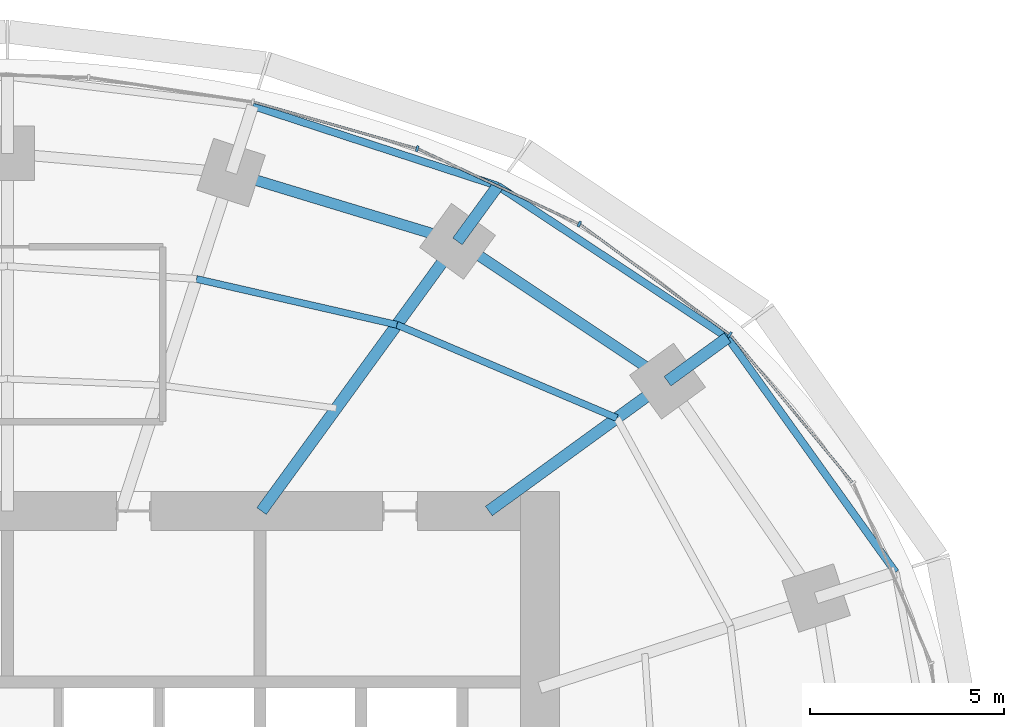
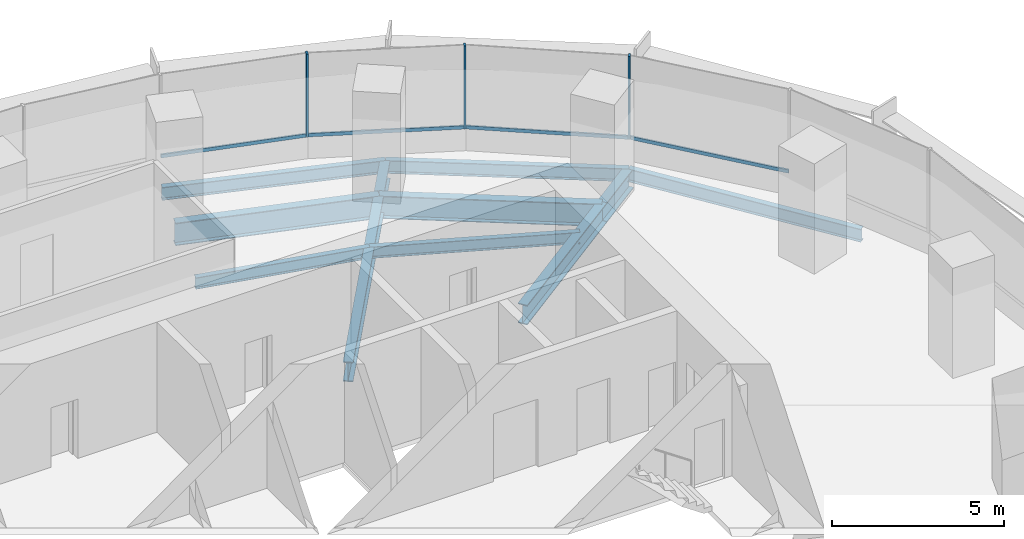
# One storey, part 8 of 14: 11 beams, 7 members, 2 elements without a shape of their own.
"""IFC4 building model written with IfcOpenShell, lengths in metres."""

from ifc_helpers import new_model, si_unit, direction, frame, origin, origin_2d, place, context, subcontext, project, spatial, rectangle, i_section, extrude, material, material_profile, profile_set, type_object, element, aggregate, save


model = new_model("IFC4")

# Units and contexts
model_context = context("Model", 3, precision=1e-05, world=origin(), true_north=direction((0.0, 1.0)))
body_context = subcontext(model_context, "Body", "Model", "MODEL_VIEW")
ifc_project = project(units=[si_unit("LENGTHUNIT", "METRE"), si_unit("AREAUNIT", "SQUARE_METRE"), si_unit("VOLUMEUNIT", "CUBIC_METRE"), si_unit("PLANEANGLEUNIT", "RADIAN"), si_unit("MASSUNIT", "GRAM", prefix="KILO")], contexts=[model_context])

# Site, building, storey
site_placement = place(None, origin())
site = spatial("IfcSite", under=ifc_project, at=site_placement, CompositionType="ELEMENT")
building_placement = place(site_placement, origin())
building = spatial("IfcBuilding", under=site, at=building_placement, Name="Marramba Exchange Tower", CompositionType="ELEMENT")
storey_placement = place(building_placement, frame((0.0, 0.0, 218.89990234375)))
storey = spatial("IfcBuildingStorey", under=building, at=storey_placement, Name="L53", CompositionType="ELEMENT", Elevation=218.89990234375)

# Beams
ifc_material_1 = material(Name="Steel AS/NZS 3679.2 grade 300", Category="steel")
ifc_material_profile_1 = material_profile(ifc_material_1, i_section(OverallWidth=0.300048828125, OverallDepth=0.699951171875, WebThickness=0.010009765625, FlangeThickness=0.031982421875, at=origin_2d()), Name="700WB173")
ifc_profile_set_1 = profile_set([ifc_material_profile_1], Name="Steel AS/NZS 3679.2 grade 300")
beam_type_1 = type_object("IfcBeamType", Name="Cantilever girder 700WB173", PredefinedType="BEAM", material=ifc_profile_set_1)
beam_1_placement = place(storey_placement, frame((16.98583984375, 12.3408203125, -0.510009765625), z_axis=(0.808962750283, 0.587859905636, 0.0), x_axis=(-0.587859905636, 0.808962750283, 0.0)))
element("IfcBeam", 1, at=beam_1_placement, inside=storey, type_object=beam_type_1, Name="Cantilever girder L53 TC03", PredefinedType="BEAM", context=body_context, shape_type="SweptSolid", body=[
    extrude(i_section(OverallWidth=0.300048828125, OverallDepth=0.699951171875, WebThickness=0.010009765625, FlangeThickness=0.031982421875, at=origin_2d()), origin(), (0.0, 0.0, 1.0), 1.9091796875),
])
beam_2_placement = place(storey_placement, frame((11.581298828125, 15.9404296875, -0.510009765625), z_axis=(0.587817766387, 0.808993370504, 0.0), x_axis=(-0.808993370504, 0.587817766387, 0.0)))
element("IfcBeam", 2, at=beam_2_placement, inside=storey, type_object=beam_type_1, Name="Cantilever girder L53 TC04", PredefinedType="BEAM", context=body_context, shape_type="SweptSolid", body=[
    extrude(i_section(OverallWidth=0.300048828125, OverallDepth=0.699951171875, WebThickness=0.010009765625, FlangeThickness=0.031982421875, at=origin_2d()), origin(), (0.0, 0.0, 1.0), 1.763916015625),
])
ifc_material_2 = material(Name="Steel AS/NZS 3679.1 grade 300", Category="steel")
ifc_material_profile_2 = material_profile(ifc_material_2, i_section(OverallWidth=0.177978515625, OverallDepth=0.406005859375, WebThickness=0.0078125, FlangeThickness=0.0126953125, FilletRadius=0.011474609375, at=origin_2d()), Name="410UB59.7")
ifc_profile_set_2 = profile_set([ifc_material_profile_2], Name="Steel AS/NZS 3679.1 grade 300")
beam_type_2 = type_object("IfcBeamType", Name="Floor joist 410UB59.7", PredefinedType="JOIST", material=ifc_profile_set_2)
beam_3_placement = place(storey_placement, frame((15.682373046875, 11.393798828125, -0.36279296875), z_axis=(-0.920674336375, 0.390331610738, 0.0), x_axis=(-0.390331610738, -0.920674336375, 0.0)))
element("IfcBeam", 3, at=beam_3_placement, inside=storey, type_object=beam_type_2, Name="Joist L53 bay 03 row 2", PredefinedType="JOIST", context=body_context, shape_type="SweptSolid", body=[
    extrude(i_section(OverallWidth=0.177978515625, OverallDepth=0.406005859375, WebThickness=0.0078125, FlangeThickness=0.0126953125, FilletRadius=0.011474609375, at=origin_2d()), origin(), (0.0, 0.0, 1.0), 6.1484375),
])
beam_4_placement = place(storey_placement, frame((10.021728515625, 13.793701171875, -0.36279296875), z_axis=(-0.974859652292, 0.222819788916, 0.0), x_axis=(-0.222819788916, -0.974859652292, 0.0)))
element("IfcBeam", 4, at=beam_4_placement, inside=storey, type_object=beam_type_2, Name="Joist L53 bay 04 row 2", PredefinedType="JOIST", context=body_context, shape_type="SweptSolid", body=[
    extrude(i_section(OverallWidth=0.177978515625, OverallDepth=0.406005859375, WebThickness=0.0078125, FlangeThickness=0.0126953125, FilletRadius=0.011474609375, at=origin_2d()), origin(), (0.0, 0.0, 1.0), 5.2900390625),
])

# Curtain wall, members
ifc_material_3 = material(Name="Aluminium framing, bronze anodised", Category="aluminium")
curtain_wall_type = type_object("IfcCurtainWallType", Name="Office ribbon curtain wall", PredefinedType="USERDEFINED", material=ifc_material_3)
curtain_wall_1_placement = place(storey_placement, origin())
curtain_wall_1 = element("IfcCurtainWall", 5, at=curtain_wall_1_placement, inside=storey, type_object=curtain_wall_type, Name="Curtain wall CW4 L53 F01-F05", ObjectType="RIBBON CURTAIN WALL", PredefinedType="USERDEFINED")
ifc_material_4 = material(Name="Aluminium mullion, bronze anodised", Category="aluminium")
ifc_material_profile_3 = material_profile(ifc_material_4, rectangle(XDim=0.159912109375, YDim=0.06005859375, at=origin_2d()), Name="CW4 mullion 60x160")
ifc_profile_set_3 = profile_set([ifc_material_profile_3], Name="Aluminium mullion, bronze anodised")
member_type_1 = type_object("IfcMemberType", Name="Office ribbon curtain wall mullion", PredefinedType="MULLION", material=ifc_profile_set_3)
member_1_placement = place(storey_placement, frame((18.587158203125, 13.53955078125, 0.800048828125), z_axis=(0.0, 0.0, 1.0), x_axis=(-0.593441317494, -0.804877259395, 0.0)))
member_1 = element("IfcMember", 6, at=member_1_placement, type_object=member_type_1, Name="CW4 mullion 1", PredefinedType="MULLION", context=body_context, shape_type="SweptSolid", body=[
    extrude(rectangle(XDim=0.159912109375, YDim=0.06005859375, at=origin_2d()), origin(), (0.0, 0.0, 1.0), 2.93994140625),
])
member_2_placement = place(storey_placement, frame((14.7158203125, 16.386474609375, 0.800048828125), z_axis=(0.0, 0.0, 1.0), x_axis=(-0.422133006189, -0.906533907301, 0.0)))
member_2 = element("IfcMember", 7, at=member_2_placement, type_object=member_type_1, Name="CW4 mullion 1", PredefinedType="MULLION", context=body_context, shape_type="SweptSolid", body=[
    extrude(rectangle(XDim=0.159912109375, YDim=0.06005859375, at=origin_2d()), origin(), (0.0, 0.0, 1.0), 2.93994140625),
])

# Curtain wall, member
curtain_wall_2_placement = place(storey_placement, origin())
curtain_wall_2 = element("IfcCurtainWall", 8, at=curtain_wall_2_placement, inside=storey, type_object=curtain_wall_type, Name="Curtain wall CW4 L53 F06-F10", ObjectType="RIBBON CURTAIN WALL", PredefinedType="USERDEFINED")
member_3_placement = place(storey_placement, frame((10.54541015625, 18.3232421875, 0.800048828125), z_axis=(0.0, 0.0, 1.0), x_axis=(-0.274248164656, -0.961658954195, 0.0)))
member_3 = element("IfcMember", 9, at=member_3_placement, type_object=member_type_1, Name="CW4 mullion 1", PredefinedType="MULLION", context=body_context, shape_type="SweptSolid", body=[
    extrude(rectangle(XDim=0.159912109375, YDim=0.06005859375, at=origin_2d()), origin(), (0.0, 0.0, 1.0), 2.93994140625),
])

# Member
ifc_material_5 = material(Name="Aluminium transom, bronze anodised", Category="aluminium")
ifc_material_profile_4 = material_profile(ifc_material_5, rectangle(XDim=0.06005859375, YDim=0.1201171875, at=origin_2d()), Name="CW4 transom 60x120")
ifc_profile_set_4 = profile_set([ifc_material_profile_4], Name="Aluminium transom, bronze anodised")
member_type_2 = type_object("IfcMemberType", Name="Office ribbon curtain wall transom", PredefinedType="USERDEFINED", material=ifc_profile_set_4)
member_4_placement = place(storey_placement, frame((21.73779296875, 9.74169921875, 0.830078125), z_axis=(-0.637375191043, 0.770553609973, 0.0), x_axis=(-0.770553609973, -0.637375191043, 0.0)))
member_4 = element("IfcMember", 10, at=member_4_placement, type_object=member_type_2, Name="CW4 sill transom", ObjectType="TRANSOM", PredefinedType="USERDEFINED", context=body_context, shape_type="SweptSolid", body=[
    extrude(rectangle(XDim=0.06005859375, YDim=0.1201171875, at=origin_2d()), origin(), (0.0, 0.0, 1.0), 4.905517578125),
])

member_5_placement = place(storey_placement, frame((18.56298828125, 13.557373046875, 0.830078125), z_axis=(-0.804874780157, 0.593444680039, 0.0), x_axis=(-0.593444680039, -0.804874780157, 0.0)))
member_5 = element("IfcMember", 11, at=member_5_placement, type_object=member_type_2, Name="CW4 sill transom", ObjectType="TRANSOM", PredefinedType="USERDEFINED", context=body_context, shape_type="SweptSolid", body=[
    extrude(rectangle(XDim=0.06005859375, YDim=0.1201171875, at=origin_2d()), origin(), (0.0, 0.0, 1.0), 4.745849609375),
])

member_6_placement = place(storey_placement, frame((14.688720703125, 16.399169921875, 0.830078125), z_axis=(-0.906548348139, 0.422101992989, 0.0), x_axis=(-0.422101992989, -0.906548348139, 0.0)))
member_6 = element("IfcMember", 12, at=member_6_placement, type_object=member_type_2, Name="CW4 sill transom", ObjectType="TRANSOM", PredefinedType="USERDEFINED", context=body_context, shape_type="SweptSolid", body=[
    extrude(rectangle(XDim=0.06005859375, YDim=0.1201171875, at=origin_2d()), origin(), (0.0, 0.0, 1.0), 4.53857421875),
])

aggregate(curtain_wall_1, [member_4, member_1, member_5, member_2, member_6])

member_7_placement = place(storey_placement, frame((10.5166015625, 18.33154296875, 0.830078125), z_axis=(-0.961661807825, 0.274238158125, 0.0), x_axis=(-0.274238158125, -0.961661807825, 0.0)))
member_7 = element("IfcMember", 13, at=member_7_placement, type_object=member_type_2, Name="CW4 sill transom", ObjectType="TRANSOM", PredefinedType="USERDEFINED", context=body_context, shape_type="SweptSolid", body=[
    extrude(rectangle(XDim=0.06005859375, YDim=0.1201171875, at=origin_2d()), origin(), (0.0, 0.0, 1.0), 4.340087890625),
])

aggregate(curtain_wall_2, [member_3, member_7])

# Beams
ifc_material_profile_5 = material_profile(ifc_material_1, i_section(OverallWidth=0.300048828125, OverallDepth=0.699951171875, WebThickness=0.010009765625, FlangeThickness=0.031982421875, at=origin_2d()), Name="700WB173")
ifc_profile_set_5 = profile_set([ifc_material_profile_5], Name="Steel AS/NZS 3679.2 grade 300")
beam_type_3 = type_object("IfcBeamType", Name="Radial girder 700WB173", PredefinedType="BEAM", material=ifc_profile_set_5)
beam_5_placement = place(storey_placement, frame((12.387451171875, 9.0, -0.510009765625), z_axis=(0.809025746925, 0.587773205252, 0.0), x_axis=(-0.587773205252, 0.809025746925, 0.0)))
element("IfcBeam", 14, at=beam_5_placement, inside=storey, type_object=beam_type_3, Name="Radial girder L53 TC03", PredefinedType="BEAM", context=body_context, shape_type="SweptSolid", body=[
    extrude(i_section(OverallWidth=0.300048828125, OverallDepth=0.699951171875, WebThickness=0.010009765625, FlangeThickness=0.031982421875, at=origin_2d()), origin(), (0.0, 0.0, 1.0), 5.683837890625),
])
beam_6_placement = place(storey_placement, frame((6.538818359375, 9.0, -0.510009765625), z_axis=(0.587782439969, 0.80901903764, 0.0), x_axis=(-0.80901903764, 0.587782439969, 0.0)))
element("IfcBeam", 15, at=beam_6_placement, inside=storey, type_object=beam_type_3, Name="Radial girder L53 TC04", PredefinedType="BEAM", context=body_context, shape_type="SweptSolid", body=[
    extrude(i_section(OverallWidth=0.300048828125, OverallDepth=0.699951171875, WebThickness=0.010009765625, FlangeThickness=0.031982421875, at=origin_2d()), origin(), (0.0, 0.0, 1.0), 8.578857421875),
])
ifc_material_profile_6 = material_profile(ifc_material_1, i_section(OverallWidth=0.27490234375, OverallDepth=0.800048828125, WebThickness=0.010009765625, FlangeThickness=0.02490234375, at=origin_2d()), Name="800WB168")
ifc_profile_set_6 = profile_set([ifc_material_profile_6], Name="Steel AS/NZS 3679.2 grade 300")
beam_type_4 = type_object("IfcBeamType", Name="Ring beam 800WB168", PredefinedType="SPANDREL", material=ifc_profile_set_6)
beam_7_placement = place(storey_placement, frame((16.98583984375, 12.3408203125, -0.559814453125), z_axis=(-0.832293151443, 0.554335737673, 0.0), x_axis=(-0.554335737673, -0.832293151443, 0.0)))
element("IfcBeam", 16, at=beam_7_placement, inside=storey, type_object=beam_type_4, Name="Ring beam L53 TC03-TC04", PredefinedType="SPANDREL", context=body_context, shape_type="SweptSolid", body=[
    extrude(i_section(OverallWidth=0.27490234375, OverallDepth=0.800048828125, WebThickness=0.010009765625, FlangeThickness=0.02490234375, at=origin_2d()), origin(), (0.0, 0.0, 1.0), 6.49365234375),
])
beam_8_placement = place(storey_placement, frame((11.581298828125, 15.9404296875, -0.559814453125), z_axis=(-0.956924542524, 0.290336735387, 0.0), x_axis=(-0.290336735387, -0.956924542524, 0.0)))
element("IfcBeam", 17, at=beam_8_placement, inside=storey, type_object=beam_type_4, Name="Ring beam L53 TC04-TC05", PredefinedType="SPANDREL", context=body_context, shape_type="SweptSolid", body=[
    extrude(i_section(OverallWidth=0.27490234375, OverallDepth=0.800048828125, WebThickness=0.010009765625, FlangeThickness=0.02490234375, at=origin_2d()), origin(), (0.0, 0.0, 1.0), 6.089599609375),
])
ifc_material_profile_7 = material_profile(ifc_material_2, i_section(OverallWidth=0.19091796875, OverallDepth=0.4599609375, WebThickness=0.010009765625, FlangeThickness=0.01611328125, FilletRadius=0.011474609375, at=origin_2d()), Name="460UB82.1")
ifc_profile_set_7 = profile_set([ifc_material_profile_7], Name="Steel AS/NZS 3679.1 grade 300")
beam_type_5 = type_object("IfcBeamType", Name="Slab edge beam 460UB82.1", PredefinedType="SPANDREL", material=ifc_profile_set_7)
beam_9_placement = place(storey_placement, frame((22.853515625, 7.425537109375, -0.389892578125), z_axis=(-0.582189457885, 0.813053156398, 0.0), x_axis=(-0.813053156398, -0.582189457885, 0.0)))
element("IfcBeam", 18, at=beam_9_placement, inside=storey, type_object=beam_type_5, Name="Slab edge beam L53 TC02-TC03", PredefinedType="SPANDREL", context=body_context, shape_type="SweptSolid", body=[
    extrude(i_section(OverallWidth=0.19091796875, OverallDepth=0.4599609375, WebThickness=0.010009765625, FlangeThickness=0.01611328125, FilletRadius=0.011474609375, at=origin_2d()), origin(), (0.0, 0.0, 1.0), 7.42578125),
])
beam_10_placement = place(storey_placement, frame((18.5302734375, 13.463134765625, -0.389892578125), z_axis=(-0.834459826117, 0.551068778463, 0.0), x_axis=(-0.551068778463, -0.834459826117, 0.0)))
element("IfcBeam", 19, at=beam_10_placement, inside=storey, type_object=beam_type_5, Name="Slab edge beam L53 TC03-TC04", PredefinedType="SPANDREL", context=body_context, shape_type="SweptSolid", body=[
    extrude(i_section(OverallWidth=0.19091796875, OverallDepth=0.4599609375, WebThickness=0.010009765625, FlangeThickness=0.01611328125, FilletRadius=0.011474609375, at=origin_2d()), origin(), (0.0, 0.0, 1.0), 7.0849609375),
])
beam_11_placement = place(storey_placement, frame((12.6181640625, 17.367431640625, -0.389892578125), z_axis=(-0.950608559101, 0.310392279809, 0.0), x_axis=(-0.310392279809, -0.950608559101, 0.0)))
element("IfcBeam", 20, at=beam_11_placement, inside=storey, type_object=beam_type_5, Name="Slab edge beam L53 TC04-TC05", PredefinedType="SPANDREL", context=body_context, shape_type="SweptSolid", body=[
    extrude(i_section(OverallWidth=0.19091796875, OverallDepth=0.4599609375, WebThickness=0.010009765625, FlangeThickness=0.01611328125, FilletRadius=0.011474609375, at=origin_2d()), origin(), (0.0, 0.0, 1.0), 6.6337890625),
])

save(model, "model.ifc")
